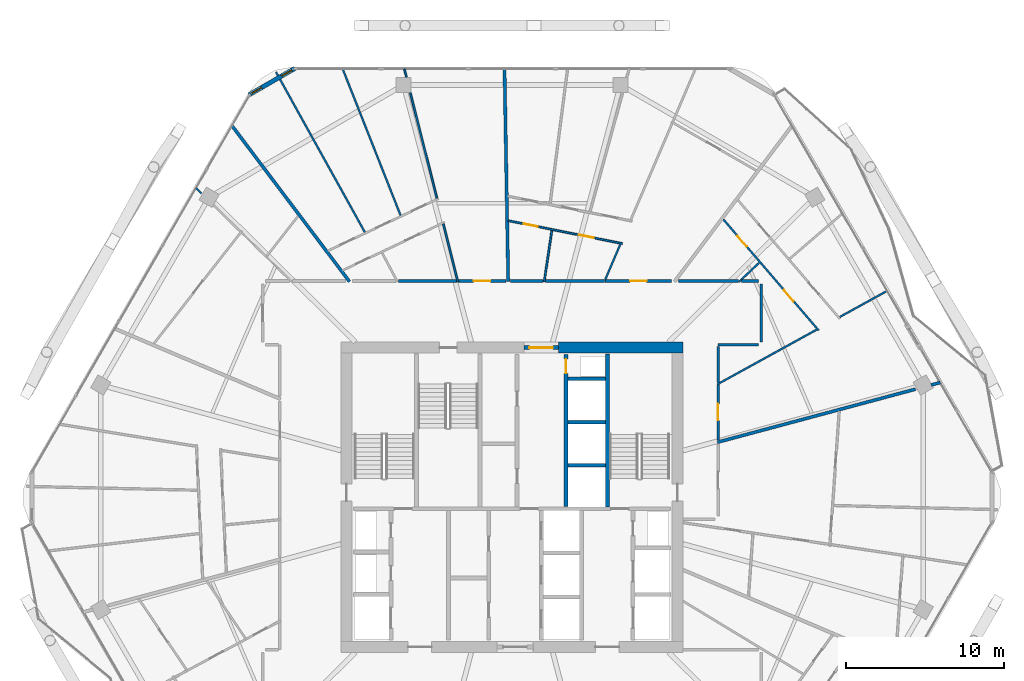
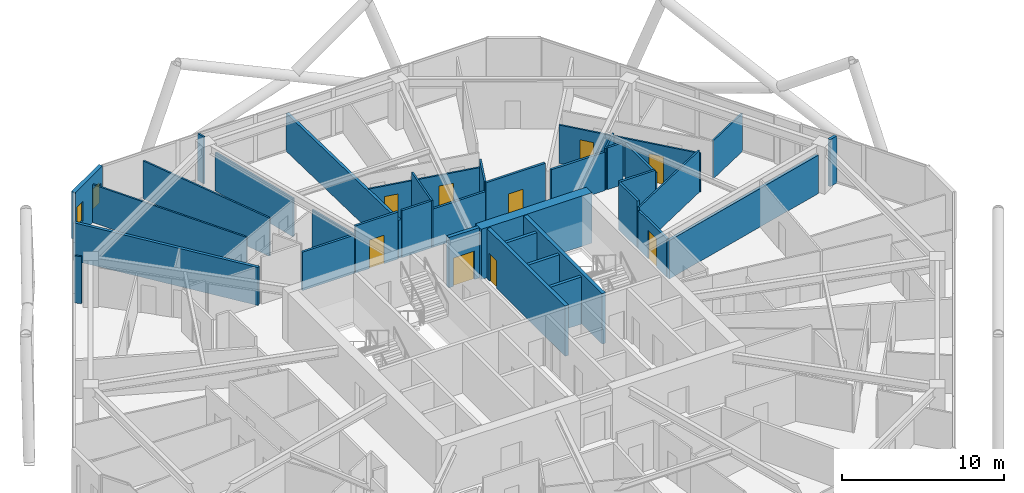
# One storey, part 25 of 29: 36 walls, 9 doors, 2 windows, 11 openings.
"""IFC4 building model written with IfcOpenShell, lengths in metres."""

from ifc_helpers import new_model, si_unit, direction, frame, frame_2d, origin, place, context, subcontext, project, spatial, rectangle, extrude, material, layer, layer_set, type_object, element, fill, save


model = new_model("IFC4")

# Units and contexts
model_context = context("Model", 3, precision=1e-05, world=origin(), true_north=direction((0.0, 1.0)))
body_context = subcontext(model_context, "Body", "Model", "MODEL_VIEW")
ifc_project = project(units=[si_unit("LENGTHUNIT", "METRE"), si_unit("AREAUNIT", "SQUARE_METRE"), si_unit("VOLUMEUNIT", "CUBIC_METRE"), si_unit("PLANEANGLEUNIT", "RADIAN"), si_unit("MASSUNIT", "GRAM", prefix="KILO")], contexts=[model_context])

# Site, building, storey
site_placement = place(None, origin())
site = spatial("IfcSite", under=ifc_project, at=site_placement, CompositionType="ELEMENT")
building_placement = place(site_placement, origin())
building = spatial("IfcBuilding", under=site, at=building_placement, Name="Zuhravey Tower", CompositionType="ELEMENT")
storey_placement = place(building_placement, frame((0.0, 0.0, 192.199951171875)))
storey = spatial("IfcBuildingStorey", under=building, at=storey_placement, Name="L48", CompositionType="ELEMENT", Elevation=192.199951171875)

# Wall
ifc_material_1 = material(Name="Concrete C60/75", Category="concrete")
ifc_layer_1 = layer(ifc_material_1, 0.699951171875)
ifc_layer_set_1 = layer_set([ifc_layer_1], Name="Concrete C60/75")
wall_type_1 = type_object("IfcWallType", Name="Core Shear Wall 700", PredefinedType="SHEAR", material=ifc_layer_set_1)
wall_1_placement = place(storey_placement, frame((46.85009765625, 41.5, 0.0), z_axis=(0.0, 0.0, 1.0), x_axis=(-1.0, 0.0, 0.0)))
element("IfcWall", 1, at=wall_1_placement, inside=storey, type_object=wall_type_1, Name="L48 North-East Core Shear Wall CW70", PredefinedType="SHEAR", context=body_context, shape_type="SweptSolid", body=[
    extrude(rectangle(XDim=7.900146484375, YDim=0.699951171875, at=frame_2d((3.9501953125, 0.0))), origin(), (0.0, 0.0, 1.0), 3.800048828125),
])

# Wall, opening, door
ifc_material_2 = material(Name="Gypsum fire-rated stud partition")
ifc_layer_2 = layer(ifc_material_2, 0.159912109375)
ifc_layer_set_2 = layer_set([ifc_layer_2], Name="Gypsum fire-rated stud partition")
wall_type_2 = type_object("IfcWallType", Name="Corridor Fire Partition 160", PredefinedType="PARTITIONING", material=ifc_layer_set_2)
wall_2_placement = place(storey_placement, frame((49.080078125, 35.648193359375, 0.0), z_axis=(0.0, 0.0, 1.0), x_axis=(0.0, 1.0, 0.0)))
wall_2 = element("IfcWall", 2, at=wall_2_placement, inside=storey, type_object=wall_type_2, Name="L48 IW16 Partition 022", PredefinedType="PARTITIONING", context=body_context, shape_type="SweptSolid", body=[
    extrude(rectangle(XDim=3.525634765625, YDim=0.159912109375, at=frame_2d((1.7626953125, 0.0))), origin(), (0.0, 0.0, 1.0), 2.900146484375),
])
opening_1_placement = place(wall_2_placement, frame((1.23779296875, 0.0, 0.0)))
opening_1 = element("IfcOpeningElement", 3, at=opening_1_placement, cuts=wall_2, Name="Opening APD1", PredefinedType="OPENING", context=body_context, shape_type="SweptSolid", body=[
    extrude(rectangle(XDim=1.050048828125, YDim=2.14990234375, at=frame_2d((0.52490234375, 1.074951171875))), frame((0.0, 0.092041015625, 0.0), z_axis=(0.0, -1.0, 0.0), x_axis=(1.0, 0.0, 0.0)), (0.0, 0.0, 1.0), 0.183837890625),
])
ifc_material_3 = material(Name="Solid-core oak fire-rated leaf")
door_type_1 = type_object("IfcDoorType", Name="Apartment Entrance Fire Door 1050x2150", OperationType="NOTDEFINED", PredefinedType="DOOR", material=ifc_material_3)
door_1_placement = place(opening_1_placement, frame((1.050048828125, 0.0, 0.0), z_axis=(0.0, 0.0, 1.0), x_axis=(-1.0, 0.0, 0.0)))
door_1 = element("IfcDoor", 4, at=door_1_placement, inside=storey, type_object=door_type_1, Name="L48 Door 022.1", OperationType="SINGLE_SWING_LEFT", OverallHeight=2.14990234375, OverallWidth=1.050048828125, PredefinedType="DOOR", context=body_context, shape_type="SweptSolid", body=[
    extrude(rectangle(XDim=1.050048828125, YDim=2.14990234375, at=frame_2d((0.52490234375, 1.074951171875))), frame((0.0, 0.02490234375, 0.0), z_axis=(0.0, -1.0, 0.0), x_axis=(1.0, 0.0, 0.0)), (0.0, 0.0, 1.0), 0.050048828125),
])
fill(opening_1, door_1)

wall_3_placement = place(storey_placement, frame((46.134765625, 45.72998046875, 0.0), z_axis=(0.0, 0.0, 1.0), x_axis=(-1.0, 0.0, 0.0)))
wall_3 = element("IfcWall", 5, at=wall_3_placement, inside=storey, type_object=wall_type_2, Name="L48 IW16 Partition 026", PredefinedType="PARTITIONING", context=body_context, shape_type="SweptSolid", body=[
    extrude(rectangle(XDim=4.23388671875, YDim=0.159912109375, at=frame_2d((2.116943359375, 0.0))), origin(), (0.0, 0.0, 1.0), 3.550048828125),
])
opening_2_placement = place(wall_3_placement, frame((1.592041015625, 0.0, 0.0)))
opening_2 = element("IfcOpeningElement", 6, at=opening_2_placement, cuts=wall_3, Name="Opening APD1", PredefinedType="OPENING", context=body_context, shape_type="SweptSolid", body=[
    extrude(rectangle(XDim=1.050048828125, YDim=2.14990234375, at=frame_2d((0.52490234375, 1.074951171875))), frame((0.0, 0.092041015625, 0.0), z_axis=(0.0, -1.0, 0.0), x_axis=(1.0, 0.0, 0.0)), (0.0, 0.0, 1.0), 0.183837890625),
])
door_2_placement = place(opening_2_placement, frame((1.050048828125, 0.0, 0.0), z_axis=(0.0, 0.0, 1.0), x_axis=(-1.0, 0.0, 0.0)))
door_2 = element("IfcDoor", 7, at=door_2_placement, inside=storey, type_object=door_type_1, Name="L48 Door 026.1", OperationType="SINGLE_SWING_RIGHT", OverallHeight=2.14990234375, OverallWidth=1.050048828125, PredefinedType="DOOR", context=body_context, shape_type="SweptSolid", body=[
    extrude(rectangle(XDim=1.050048828125, YDim=2.14990234375, at=frame_2d((0.52490234375, 1.074951171875))), frame((0.0, 0.02490234375, 0.0), z_axis=(0.0, -1.0, 0.0), x_axis=(1.0, 0.0, 0.0)), (0.0, 0.0, 1.0), 0.050048828125),
])
fill(opening_2, door_2)

wall_4_placement = place(storey_placement, frame((35.62060546875, 45.72998046875, 0.0), z_axis=(0.0, 0.0, 1.0), x_axis=(-1.0, 0.0, 0.0)))
wall_4 = element("IfcWall", 8, at=wall_4_placement, inside=storey, type_object=wall_type_2, Name="L48 IW16 Partition 029", PredefinedType="PARTITIONING", context=body_context, shape_type="SweptSolid", body=[
    extrude(rectangle(XDim=3.048583984375, YDim=0.159912109375, at=frame_2d((1.5244140625, 0.0))), origin(), (0.0, 0.0, 1.0), 3.550048828125),
])
opening_3_placement = place(wall_4_placement, frame((0.999267578125, 0.0, 0.0)))
opening_3 = element("IfcOpeningElement", 9, at=opening_3_placement, cuts=wall_4, Name="Opening APD1", PredefinedType="OPENING", context=body_context, shape_type="SweptSolid", body=[
    extrude(rectangle(XDim=1.050048828125, YDim=2.14990234375, at=frame_2d((0.52490234375, 1.074951171875))), frame((0.0, 0.092041015625, 0.0), z_axis=(0.0, -1.0, 0.0), x_axis=(1.0, 0.0, 0.0)), (0.0, 0.0, 1.0), 0.183837890625),
])
door_3_placement = place(opening_3_placement, frame((1.050048828125, 0.0, 0.0), z_axis=(0.0, 0.0, 1.0), x_axis=(-1.0, 0.0, 0.0)))
door_3 = element("IfcDoor", 10, at=door_3_placement, inside=storey, type_object=door_type_1, Name="L48 Door 029.1", OperationType="SINGLE_SWING_RIGHT", OverallHeight=2.14990234375, OverallWidth=1.050048828125, PredefinedType="DOOR", context=body_context, shape_type="SweptSolid", body=[
    extrude(rectangle(XDim=1.050048828125, YDim=2.14990234375, at=frame_2d((0.52490234375, 1.074951171875))), frame((0.0, 0.02490234375, 0.0), z_axis=(0.0, -1.0, 0.0), x_axis=(1.0, 0.0, 0.0)), (0.0, 0.0, 1.0), 0.050048828125),
])
fill(opening_3, door_3)

# Walls
wall_5_placement = place(storey_placement, frame((51.830078125, 41.85009765625, 0.0), z_axis=(0.0, 0.0, 1.0), x_axis=(0.0, 1.0, 0.0)))
element("IfcWall", 11, at=wall_5_placement, inside=storey, type_object=wall_type_2, Name="L48 IW16 Partition 123", PredefinedType="PARTITIONING", context=body_context, shape_type="SweptSolid", body=[
    extrude(rectangle(XDim=3.699951171875, YDim=0.159912109375, at=frame_2d((1.85009765625, 0.0))), origin(), (0.0, 0.0, 1.0), 3.150146484375),
])
wall_6_placement = place(storey_placement, frame((49.080078125, 41.669921875, 0.0), z_axis=(0.0, 0.0, 1.0), x_axis=(1.0, 0.0, 0.0)))
element("IfcWall", 12, at=wall_6_placement, inside=storey, type_object=wall_type_2, Name="L48 IW16 Partition 124", PredefinedType="PARTITIONING", context=body_context, shape_type="SweptSolid", body=[
    extrude(rectangle(XDim=2.56982421875, YDim=0.159912109375, at=frame_2d((1.284912109375, 0.0))), origin(), (0.0, 0.0, 1.0), 3.550048828125),
])
wall_7_placement = place(storey_placement, frame((49.080078125, 39.2744140625, 0.0), z_axis=(0.0, 0.0, 1.0), x_axis=(0.0, 1.0, 0.0)))
element("IfcWall", 13, at=wall_7_placement, inside=storey, type_object=wall_type_2, Name="L48 IW16 Partition 125", PredefinedType="PARTITIONING", context=body_context, shape_type="SweptSolid", body=[
    extrude(rectangle(XDim=2.3076171875, YDim=0.159912109375, at=frame_2d((1.15380859375, 0.0))), origin(), (0.0, 0.0, 1.0), 3.550048828125),
])
wall_8_placement = place(storey_placement, frame((51.64990234375, 45.72998046875, 0.0), z_axis=(0.0, 0.0, 1.0), x_axis=(-1.0, 0.0, 0.0)))
element("IfcWall", 14, at=wall_8_placement, inside=storey, type_object=wall_type_2, Name="L48 IW16 Partition 126", PredefinedType="PARTITIONING", context=body_context, shape_type="SweptSolid", body=[
    extrude(rectangle(XDim=1.08349609375, YDim=0.159912109375, at=frame_2d((0.541748046875, 0.0))), origin(), (0.0, 0.0, 1.0), 3.150146484375),
])
wall_9_placement = place(storey_placement, frame((50.368896484375, 45.72998046875, 0.0), z_axis=(0.0, 0.0, 1.0), x_axis=(-1.0, 0.0, 0.0)))
element("IfcWall", 15, at=wall_9_placement, inside=storey, type_object=wall_type_2, Name="L48 IW16 Partition 127", PredefinedType="PARTITIONING", context=body_context, shape_type="SweptSolid", body=[
    extrude(rectangle(XDim=3.808349609375, YDim=0.159912109375, at=frame_2d((1.904296875, 0.0))), origin(), (0.0, 0.0, 1.0), 2.900146484375),
])
wall_10_placement = place(storey_placement, frame((41.857421875, 45.72998046875, 0.0), z_axis=(0.0, 0.0, 1.0), x_axis=(-1.0, 0.0, 0.0)))
element("IfcWall", 16, at=wall_10_placement, inside=storey, type_object=wall_type_2, Name="L48 IW16 Partition 128", PredefinedType="PARTITIONING", context=body_context, shape_type="SweptSolid", body=[
    extrude(rectangle(XDim=3.737060546875, YDim=0.159912109375, at=frame_2d((1.86865234375, 0.0))), origin(), (0.0, 0.0, 1.0), 2.900146484375),
])
wall_11_placement = place(storey_placement, frame((37.98291015625, 45.72998046875, 0.0), z_axis=(0.0, 0.0, 1.0), x_axis=(-1.0, 0.0, 0.0)))
element("IfcWall", 17, at=wall_11_placement, inside=storey, type_object=wall_type_2, Name="L48 IW16 Partition 129", PredefinedType="PARTITIONING", context=body_context, shape_type="SweptSolid", body=[
    extrude(rectangle(XDim=2.082763671875, YDim=0.159912109375, at=frame_2d((1.04150390625, 0.0))), origin(), (0.0, 0.0, 1.0), 3.550048828125),
])
wall_12_placement = place(storey_placement, frame((32.481201171875, 45.72998046875, 0.0), z_axis=(0.0, 0.0, 1.0), x_axis=(-1.0, 0.0, 0.0)))
element("IfcWall", 18, at=wall_12_placement, inside=storey, type_object=wall_type_2, Name="L48 IW16 Partition 130", PredefinedType="PARTITIONING", context=body_context, shape_type="SweptSolid", body=[
    extrude(rectangle(XDim=3.700927734375, YDim=0.159912109375, at=frame_2d((1.8505859375, 0.0))), origin(), (0.0, 0.0, 1.0), 2.900146484375),
])

# Wall, openings, windows
ifc_material_4 = material(Name="Precast concrete C40/50", Category="concrete")
ifc_layer_3 = layer(ifc_material_4, 0.280029296875)
ifc_layer_set_3 = layer_set([ifc_layer_3], Name="Precast concrete C40/50")
wall_type_3 = type_object("IfcWallType", Name="Crown Architectural Wall 280", PredefinedType="SOLIDWALL", material=ifc_layer_set_3)
wall_13_placement = place(storey_placement, frame((19.306884765625, 57.548095703125, 0.0), z_axis=(0.0, 0.0, 1.0), x_axis=(0.866020068361, 0.500009241111, 0.0)))
wall_13 = element("IfcWall", 19, at=wall_13_placement, inside=storey, type_object=wall_type_3, Name="L48 Rounded Corner Closure Wall EW28-08", PredefinedType="SOLIDWALL", context=body_context, shape_type="SweptSolid", body=[
    extrude(rectangle(XDim=3.365234375, YDim=0.280029296875, at=frame_2d((1.6826171875, 0.0))), origin(), (0.0, 0.0, 1.0), 3.550048828125),
])
opening_4_placement = place(wall_13_placement, frame((2.386962890625, 0.0, 0.85009765625)))
opening_4 = element("IfcOpeningElement", 20, at=opening_4_placement, cuts=wall_13, Name="Opening WN5", PredefinedType="OPENING", context=body_context, shape_type="SweptSolid", body=[
    extrude(rectangle(XDim=0.75, YDim=1.5, at=frame_2d((0.375, 0.75))), frame((0.0, 0.152099609375, 0.0), z_axis=(0.0, -1.0, 0.0), x_axis=(1.0, 0.0, 0.0)), (0.0, 0.0, 1.0), 0.303955078125),
])
opening_5_placement = place(wall_13_placement, frame((0.17919921875, 0.0, 0.85009765625)))
opening_5 = element("IfcOpeningElement", 21, at=opening_5_placement, cuts=wall_13, Name="Opening WN5", PredefinedType="OPENING", context=body_context, shape_type="SweptSolid", body=[
    extrude(rectangle(XDim=0.75, YDim=1.5, at=frame_2d((0.375, 0.75))), frame((0.0, 0.152099609375, 0.0), z_axis=(0.0, -1.0, 0.0), x_axis=(1.0, 0.0, 0.0)), (0.0, 0.0, 1.0), 0.303955078125),
])
ifc_material_5 = material(Name="Thermally broken aluminium and triple low-E glass", Category="aluminium")
window_type = type_object("IfcWindowType", Name="Residential Corner Casement Window 750x1500", PartitioningType="SINGLE_PANEL", PredefinedType="WINDOW", material=ifc_material_5)
window_1_placement = place(opening_4_placement, origin())
window_1 = element("IfcWindow", 22, at=window_1_placement, inside=storey, type_object=window_type, Name="L48 Corner Casement Window WN5-08.1", OverallHeight=1.5, OverallWidth=0.75, PartitioningType="SINGLE_PANEL", PredefinedType="WINDOW", context=body_context, shape_type="SweptSolid", body=[
    extrude(rectangle(XDim=0.75, YDim=1.5, at=frame_2d((0.375, 0.75))), frame((0.0, 0.030029296875, 0.0), z_axis=(0.0, -1.0, 0.0), x_axis=(1.0, 0.0, 0.0)), (0.0, 0.0, 1.0), 0.06005859375),
])
fill(opening_4, window_1)
window_2_placement = place(opening_5_placement, origin())
window_2 = element("IfcWindow", 23, at=window_2_placement, inside=storey, type_object=window_type, Name="L48 Corner Casement Window WN5-08.2", OverallHeight=1.5, OverallWidth=0.75, PartitioningType="SINGLE_PANEL", PredefinedType="WINDOW", context=body_context, shape_type="SweptSolid", body=[
    extrude(rectangle(XDim=0.75, YDim=1.5, at=frame_2d((0.375, 0.75))), frame((0.0, 0.030029296875, 0.0), z_axis=(0.0, -1.0, 0.0), x_axis=(1.0, 0.0, 0.0)), (0.0, 0.0, 1.0), 0.06005859375),
])
fill(opening_5, window_2)

# Wall, opening, door
ifc_material_6 = material(Name="Concrete C50/60", Category="concrete")
ifc_layer_4 = layer(ifc_material_6, 0.25)
ifc_layer_set_4 = layer_set([ifc_layer_4], Name="Concrete C50/60")
wall_type_4 = type_object("IfcWallType", Name="Firefighting Shaft & Stair Wall 250", PredefinedType="SOLIDWALL", material=ifc_layer_set_4)
wall_14_placement = place(storey_placement, frame((36.760009765625, 41.5, 0.0), z_axis=(0.0, 0.0, 1.0), x_axis=(1.0, 0.0, 0.0)))
wall_14 = element("IfcWall", 24, at=wall_14_placement, inside=storey, type_object=wall_type_4, Name="L48 FW25 Shaft Wall 002", PredefinedType="SOLIDWALL", context=body_context, shape_type="SweptSolid", body=[
    extrude(rectangle(XDim=2.179931640625, YDim=0.25, at=frame_2d((1.08984375, 0.0))), origin(), (0.0, 0.0, 1.0), 3.800048828125),
])
opening_6_placement = place(wall_14_placement, frame((0.340087890625, 0.0, 0.0)))
opening_6 = element("IfcOpeningElement", 25, at=opening_6_placement, cuts=wall_14, Name="Opening FFD1", PredefinedType="OPENING", context=body_context, shape_type="SweptSolid", body=[
    extrude(rectangle(XDim=1.5, YDim=2.14990234375, at=frame_2d((0.75, 1.074951171875))), frame((0.0, 0.136962890625, 0.0), z_axis=(0.0, -1.0, 0.0), x_axis=(1.0, 0.0, 0.0)), (0.0, 0.0, 1.0), 0.27392578125),
])
ifc_material_7 = material(Name="Galvanised fire-rated steel leaf", Category="steel")
door_type_2 = type_object("IfcDoorType", Name="Firefighting Lobby Double Door 1500x2150", OperationType="DOUBLE_DOOR_SINGLE_SWING", PredefinedType="DOOR", material=ifc_material_7)
door_4_placement = place(opening_6_placement, origin())
door_4 = element("IfcDoor", 26, at=door_4_placement, inside=storey, type_object=door_type_2, Name="L48 North Lift Lobby Exit Door", OperationType="DOUBLE_DOOR_SINGLE_SWING", OverallHeight=2.14990234375, OverallWidth=1.5, PredefinedType="DOOR", context=body_context, shape_type="SweptSolid", body=[
    extrude(rectangle(XDim=1.5, YDim=2.14990234375, at=frame_2d((0.75, 1.074951171875))), frame((0.0, 0.02490234375, 0.0), z_axis=(0.0, -1.0, 0.0), x_axis=(1.0, 0.0, 0.0)), (0.0, 0.0, 1.0), 0.050048828125),
])
fill(opening_6, door_4)

# Wall
wall_15_placement = place(storey_placement, frame((42.074951171875, 31.39990234375, 0.0), z_axis=(0.0, 0.0, 1.0), x_axis=(0.0, 1.0, 0.0)))
element("IfcWall", 27, at=wall_15_placement, inside=storey, type_object=wall_type_4, Name="L48 FW25 Shaft Wall 006", PredefinedType="SOLIDWALL", context=body_context, shape_type="SweptSolid", body=[
    extrude(rectangle(XDim=9.7001953125, YDim=0.25, at=frame_2d((4.85009765625, 0.0))), origin(), (0.0, 0.0, 1.0), 3.800048828125),
])

# Wall, opening, door
wall_16_placement = place(storey_placement, frame((39.425048828125, 31.39990234375, 0.0), z_axis=(0.0, 0.0, 1.0), x_axis=(0.0, 1.0, 0.0)))
wall_16 = element("IfcWall", 28, at=wall_16_placement, inside=storey, type_object=wall_type_4, Name="L48 FW25 Shaft Wall 008", PredefinedType="SOLIDWALL", context=body_context, shape_type="SweptSolid", body=[
    extrude(rectangle(XDim=9.650146484375, YDim=0.25, at=frame_2d((4.8251953125, 0.0))), origin(), (0.0, 0.0, 1.0), 3.800048828125),
])
opening_7_placement = place(wall_16_placement, frame((8.469970703125, 0.0, 0.0)))
opening_7 = element("IfcOpeningElement", 29, at=opening_7_placement, cuts=wall_16, Name="Opening RSD1", PredefinedType="OPENING", context=body_context, shape_type="SweptSolid", body=[
    extrude(rectangle(XDim=0.89990234375, YDim=2.10009765625, at=frame_2d((0.449951171875, 1.050048828125))), frame((0.0, 0.136962890625, 0.0), z_axis=(0.0, -1.0, 0.0), x_axis=(1.0, 0.0, 0.0)), (0.0, 0.0, 1.0), 0.27392578125),
])
ifc_material_8 = material(Name="Galvanised fire-rated steel access leaf", Category="steel")
door_type_3 = type_object("IfcDoorType", Name="Riser & Shaft Access Fire Door 900x2100", OperationType="NOTDEFINED", PredefinedType="DOOR", material=ifc_material_8)
door_5_placement = place(opening_7_placement, origin())
door_5 = element("IfcDoor", 30, at=door_5_placement, inside=storey, type_object=door_type_3, Name="L48 North Riser Door", OperationType="SINGLE_SWING_LEFT", OverallHeight=2.10009765625, OverallWidth=0.89990234375, PredefinedType="DOOR", context=body_context, shape_type="SweptSolid", body=[
    extrude(rectangle(XDim=0.89990234375, YDim=2.10009765625, at=frame_2d((0.449951171875, 1.050048828125))), frame((0.0, 0.02490234375, 0.0), z_axis=(0.0, -1.0, 0.0), x_axis=(1.0, 0.0, 0.0)), (0.0, 0.0, 1.0), 0.050048828125),
])
fill(opening_7, door_5)

# Walls
ifc_material_9 = material(Name="Gypsum double-stud party assembly")
ifc_layer_5 = layer(ifc_material_9, 0.199951171875)
ifc_layer_set_5 = layer_set([ifc_layer_5], Name="Gypsum double-stud party assembly")
wall_type_5 = type_object("IfcWallType", Name="Inter-Tenancy Party Wall 200", PredefinedType="PARTITIONING", material=ifc_layer_set_5)
wall_17_placement = place(storey_placement, frame((49.0400390625, 35.494140625, 0.0), z_axis=(0.0, 0.0, 1.0), x_axis=(0.965928543948, 0.258808902449, 0.0)))
element("IfcWall", 31, at=wall_17_placement, inside=storey, type_object=wall_type_5, Name="L48 IW20 Partition 067", PredefinedType="PARTITIONING", context=body_context, shape_type="SweptSolid", body=[
    extrude(rectangle(XDim=13.015869140625, YDim=0.199951171875, at=frame_2d((6.5078125, 0.0))), origin(), (0.0, 0.0, 1.0), 2.900146484375),
])
wall_18_placement = place(storey_placement, frame((62.6025390625, 39.128173828125, 0.0), z_axis=(0.0, 0.0, 1.0), x_axis=(0.965944425699, 0.258749621182, 0.0)))
element("IfcWall", 32, at=wall_18_placement, inside=storey, type_object=wall_type_5, Name="L48 IW20 Partition 068", PredefinedType="PARTITIONING", context=body_context, shape_type="SweptSolid", body=[
    extrude(rectangle(XDim=0.60107421875, YDim=0.199951171875, at=frame_2d((0.300537109375, 0.0))), origin(), (0.0, 0.0, 1.0), 3.550048828125),
])
wall_19_placement = place(storey_placement, frame((35.760986328125, 45.68994140625, 0.0), z_axis=(0.0, 0.0, 1.0), x_axis=(-0.017457713983, 0.999847602499, 0.0)))
element("IfcWall", 33, at=wall_19_placement, inside=storey, type_object=wall_type_5, Name="L48 IW20 Partition 081", PredefinedType="PARTITIONING", context=body_context, shape_type="SweptSolid", body=[
    extrude(rectangle(XDim=13.4951171875, YDim=0.199951171875, at=frame_2d((6.74755859375, 0.0))), origin(), (0.0, 0.0, 1.0), 2.8701171875),
])
wall_20_placement = place(storey_placement, frame((25.683837890625, 45.68994140625, 0.0), z_axis=(0.0, 0.0, 1.0), x_axis=(-0.601811441108, 0.798638209299, 0.0)))
element("IfcWall", 34, at=wall_20_placement, inside=storey, type_object=wall_type_5, Name="L48 IW20 Partition 088", PredefinedType="PARTITIONING", context=body_context, shape_type="SweptSolid", body=[
    extrude(rectangle(XDim=12.388916015625, YDim=0.199951171875, at=frame_2d((6.1943359375, 0.0))), origin(), (0.0, 0.0, 1.0), 2.8701171875),
])
ifc_material_10 = material(Name="Gypsum acoustic stud assembly")
ifc_layer_6 = layer(ifc_material_10, 0.219970703125)
ifc_layer_set_6 = layer_set([ifc_layer_6], Name="Gypsum acoustic stud assembly")
wall_type_6 = type_object("IfcWallType", Name="School Acoustic Compartment Wall 220", PredefinedType="PARTITIONING", material=ifc_layer_set_6)
for number, where, z_axis, x_axis, name in (
    (35, (39.55810546875, 34.02490234375, 0.0), (0.0, 0.0, 1.0), (1.0, 0.0, 0.0), "L48 IW22 Partition 062"),
    (36, (39.55810546875, 36.77490234375, 0.0), (0.0, 0.0, 1.0), (1.0, 0.0, 0.0), "L48 IW22 Partition 063"),
    (37, (39.55810546875, 39.52490234375, 0.0), (0.0, 0.0, 1.0), (1.0, 0.0, 0.0), "L48 IW22 Partition 064"),
):
    element("IfcWall", number, at=place(storey_placement, frame(where, z_axis=z_axis, x_axis=x_axis)), inside=storey, type_object=wall_type_6, Name=name, PredefinedType="PARTITIONING", context=body_context, shape_type="SweptSolid", body=[
        extrude(rectangle(XDim=2.3837890625, YDim=0.219970703125, at=frame_2d((1.19189453125, 0.0))), origin(), (0.0, 0.0, 1.0), 3.550048828125),
    ])

# Wall, openings, doors
ifc_material_11 = material(Name="Gypsum metal-stud partition")
ifc_layer_7 = layer(ifc_material_11, 0.1201171875)
ifc_layer_set_7 = layer_set([ifc_layer_7], Name="Gypsum metal-stud partition")
wall_type_7 = type_object("IfcWallType", Name="Unit Internal Partition 120", PredefinedType="PARTITIONING", material=ifc_layer_set_7)
wall_21_placement = place(storey_placement, frame((55.467041015625, 42.5966796875, 0.0), z_axis=(0.0, 0.0, 1.0), x_axis=(-0.651552756093, 0.758603325875, 0.0)))
wall_21 = element("IfcWall", 38, at=wall_21_placement, inside=storey, type_object=wall_type_7, Name="L48 IW12 Partition 020", PredefinedType="PARTITIONING", context=body_context, shape_type="SweptSolid", body=[
    extrude(rectangle(XDim=9.291259765625, YDim=0.1201171875, at=frame_2d((4.6455078125, 0.0))), origin(), (0.0, 0.0, 1.0), 2.900146484375),
])
opening_8_placement = place(wall_21_placement, frame((2.436767578125, 0.0, 0.0)))
opening_8 = element("IfcOpeningElement", 39, at=opening_8_placement, cuts=wall_21, Name="Opening IND1", PredefinedType="OPENING", context=body_context, shape_type="SweptSolid", body=[
    extrude(rectangle(XDim=0.949951171875, YDim=2.10009765625, at=frame_2d((0.47509765625, 1.050048828125))), frame((0.0, 0.072021484375, 0.0), z_axis=(0.0, -1.0, 0.0), x_axis=(1.0, 0.0, 0.0)), (0.0, 0.0, 1.0), 0.14404296875),
])
opening_9_placement = place(wall_21_placement, frame((7.0048828125, 0.0, 0.0)))
opening_9 = element("IfcOpeningElement", 40, at=opening_9_placement, cuts=wall_21, Name="Opening WCD1", PredefinedType="OPENING", context=body_context, shape_type="SweptSolid", body=[
    extrude(rectangle(XDim=0.89990234375, YDim=2.10009765625, at=frame_2d((0.449951171875, 1.050048828125))), frame((0.0, 0.072021484375, 0.0), z_axis=(0.0, -1.0, 0.0), x_axis=(1.0, 0.0, 0.0)), (0.0, 0.0, 1.0), 0.14404296875),
])
ifc_material_12 = material(Name="Moisture-resistant timber leaf", Category="wood")
door_type_4 = type_object("IfcDoorType", Name="Bathroom & WC Internal Door 900x2100", OperationType="NOTDEFINED", PredefinedType="DOOR", material=ifc_material_12)
door_6_placement = place(opening_9_placement, origin())
door_6 = element("IfcDoor", 41, at=door_6_placement, inside=storey, type_object=door_type_4, Name="Apartment L48-01 Bathroom Door", OperationType="SINGLE_SWING_RIGHT", OverallHeight=2.10009765625, OverallWidth=0.89990234375, PredefinedType="DOOR", context=body_context, shape_type="SweptSolid", body=[
    extrude(rectangle(XDim=0.89990234375, YDim=2.10009765625, at=frame_2d((0.449951171875, 1.050048828125))), frame((0.0, 0.02490234375, 0.0), z_axis=(0.0, -1.0, 0.0), x_axis=(1.0, 0.0, 0.0)), (0.0, 0.0, 1.0), 0.050048828125),
])
fill(opening_9, door_6)
ifc_material_13 = material(Name="Painted engineered timber leaf", Category="wood")
door_type_5 = type_object("IfcDoorType", Name="Internal Room & Bedroom Door 950x2100", OperationType="NOTDEFINED", PredefinedType="DOOR", material=ifc_material_13)
door_7_placement = place(opening_8_placement, origin())
door_7 = element("IfcDoor", 42, at=door_7_placement, inside=storey, type_object=door_type_5, Name="Apartment L48-01 Kitchen Door", OperationType="SINGLE_SWING_LEFT", OverallHeight=2.10009765625, OverallWidth=0.949951171875, PredefinedType="DOOR", context=body_context, shape_type="SweptSolid", body=[
    extrude(rectangle(XDim=0.949951171875, YDim=2.10009765625, at=frame_2d((0.47509765625, 1.050048828125))), frame((0.0, 0.02490234375, 0.0), z_axis=(0.0, -1.0, 0.0), x_axis=(1.0, 0.0, 0.0)), (0.0, 0.0, 1.0), 0.050048828125),
])
fill(opening_8, door_7)

wall_22_placement = place(storey_placement, frame((43.005126953125, 48.105712890625, 0.0), z_axis=(0.0, 0.0, 1.0), x_axis=(-0.980473986125, 0.196648830489, 0.0)))
wall_22 = element("IfcWall", 43, at=wall_22_placement, inside=storey, type_object=wall_type_7, Name="L48 IW12 Partition 024", PredefinedType="PARTITIONING", context=body_context, shape_type="SweptSolid", body=[
    extrude(rectangle(XDim=7.403076171875, YDim=0.1201171875, at=frame_2d((3.70166015625, 0.0))), origin(), (0.0, 0.0, 1.0), 2.900146484375),
])
opening_10_placement = place(wall_22_placement, frame((1.852783203125, 0.0, 0.0)))
opening_10 = element("IfcOpeningElement", 44, at=opening_10_placement, cuts=wall_22, Name="Opening IND1", PredefinedType="OPENING", context=body_context, shape_type="SweptSolid", body=[
    extrude(rectangle(XDim=0.949951171875, YDim=2.10009765625, at=frame_2d((0.47509765625, 1.050048828125))), frame((0.0, 0.072021484375, 0.0), z_axis=(0.0, -1.0, 0.0), x_axis=(1.0, 0.0, 0.0)), (0.0, 0.0, 1.0), 0.14404296875),
])
opening_11_placement = place(wall_22_placement, frame((5.47705078125, 0.0, 0.0)))
opening_11 = element("IfcOpeningElement", 45, at=opening_11_placement, cuts=wall_22, Name="Opening WCD1", PredefinedType="OPENING", context=body_context, shape_type="SweptSolid", body=[
    extrude(rectangle(XDim=0.89990234375, YDim=2.10009765625, at=frame_2d((0.449951171875, 1.050048828125))), frame((0.0, 0.072021484375, 0.0), z_axis=(0.0, -1.0, 0.0), x_axis=(1.0, 0.0, 0.0)), (0.0, 0.0, 1.0), 0.14404296875),
])
door_8_placement = place(opening_11_placement, origin())
door_8 = element("IfcDoor", 46, at=door_8_placement, inside=storey, type_object=door_type_4, Name="Apartment L48-02 Bathroom Door", OperationType="SINGLE_SWING_RIGHT", OverallHeight=2.10009765625, OverallWidth=0.89990234375, PredefinedType="DOOR", context=body_context, shape_type="SweptSolid", body=[
    extrude(rectangle(XDim=0.89990234375, YDim=2.10009765625, at=frame_2d((0.449951171875, 1.050048828125))), frame((0.0, 0.02490234375, 0.0), z_axis=(0.0, -1.0, 0.0), x_axis=(1.0, 0.0, 0.0)), (0.0, 0.0, 1.0), 0.050048828125),
])
fill(opening_11, door_8)
door_9_placement = place(opening_10_placement, origin())
door_9 = element("IfcDoor", 47, at=door_9_placement, inside=storey, type_object=door_type_5, Name="Apartment L48-02 Kitchen Door", OperationType="SINGLE_SWING_LEFT", OverallHeight=2.10009765625, OverallWidth=0.949951171875, PredefinedType="DOOR", context=body_context, shape_type="SweptSolid", body=[
    extrude(rectangle(XDim=0.949951171875, YDim=2.10009765625, at=frame_2d((0.47509765625, 1.050048828125))), frame((0.0, 0.02490234375, 0.0), z_axis=(0.0, -1.0, 0.0), x_axis=(1.0, 0.0, 0.0)), (0.0, 0.0, 1.0), 0.050048828125),
])
fill(opening_10, door_9)

# Walls
wall_23_placement = place(storey_placement, frame((50.414794921875, 45.679931640625, 0.0), z_axis=(0.0, 0.0, 1.0), x_axis=(0.725405017461, 0.688322279635, 0.0)))
element("IfcWall", 48, at=wall_23_placement, inside=storey, type_object=wall_type_7, Name="L48 IW12 Partition 069", PredefinedType="PARTITIONING", context=body_context, shape_type="SweptSolid", body=[
    extrude(rectangle(XDim=1.7578125, YDim=0.1201171875, at=frame_2d((0.87890625, 0.0))), origin(), (0.0, 0.0, 1.0), 3.150146484375),
])
wall_24_placement = place(storey_placement, frame((49.038330078125, 39.173828125, 0.0), z_axis=(0.0, 0.0, 1.0), x_axis=(0.876137059661, 0.482062083853, 0.0)))
element("IfcWall", 49, at=wall_24_placement, inside=storey, type_object=wall_type_7, Name="L48 IW12 Partition 071", PredefinedType="PARTITIONING", context=body_context, shape_type="SweptSolid", body=[
    extrude(rectangle(XDim=7.192138671875, YDim=0.1201171875, at=frame_2d((3.59619140625, 0.0))), origin(), (0.0, 0.0, 1.0), 3.150146484375),
])
wall_25_placement = place(storey_placement, frame((56.80419921875, 43.446533203125, 0.0), z_axis=(0.0, 0.0, 1.0), x_axis=(0.876100956411, 0.482127694886, 0.0)))
element("IfcWall", 50, at=wall_25_placement, inside=storey, type_object=wall_type_7, Name="L48 IW12 Partition 072", PredefinedType="PARTITIONING", context=body_context, shape_type="SweptSolid", body=[
    extrude(rectangle(XDim=3.45361328125, YDim=0.1201171875, at=frame_2d((1.726806640625, 0.0))), origin(), (0.0, 0.0, 1.0), 2.8701171875),
])
wall_26_placement = place(storey_placement, frame((38.044189453125, 45.679931640625, 0.0), z_axis=(0.0, 0.0, 1.0), x_axis=(0.147745321874, 0.989025439443, 0.0)))
element("IfcWall", 51, at=wall_26_placement, inside=storey, type_object=wall_type_7, Name="L48 IW12 Partition 074", PredefinedType="PARTITIONING", context=body_context, shape_type="SweptSolid", body=[
    extrude(rectangle(XDim=3.2900390625, YDim=0.1201171875, at=frame_2d((1.64501953125, 0.0))), origin(), (0.0, 0.0, 1.0), 3.550048828125),
])
wall_27_placement = place(storey_placement, frame((41.916748046875, 45.818115234375, 0.0), z_axis=(0.0, 0.0, 1.0), x_axis=(0.393581271116, 0.919289825369, 0.0)))
element("IfcWall", 52, at=wall_27_placement, inside=storey, type_object=wall_type_7, Name="L48 IW12 Partition 078", PredefinedType="PARTITIONING", context=body_context, shape_type="SweptSolid", body=[
    extrude(rectangle(XDim=2.44091796875, YDim=0.1201171875, at=frame_2d((1.220458984375, 0.0))), origin(), (0.0, 0.0, 1.0), 3.550048828125),
])
wall_28_placement = place(storey_placement, frame((28.92578125, 49.898193359375, 0.0), z_axis=(0.0, 0.0, 1.0), x_axis=(-0.367601408751, 0.929983443016, 0.0)))
element("IfcWall", 53, at=wall_28_placement, inside=storey, type_object=wall_type_7, Name="L48 IW12 Partition 083", PredefinedType="PARTITIONING", context=body_context, shape_type="SweptSolid", body=[
    extrude(rectangle(XDim=9.99462890625, YDim=0.1201171875, at=frame_2d((4.997314453125, 0.0))), origin(), (0.0, 0.0, 1.0), 2.8701171875),
])
wall_29_placement = place(storey_placement, frame((26.659912109375, 48.8271484375, 0.0), z_axis=(0.0, 0.0, 1.0), x_axis=(-0.485325552843, 0.874333522037, 0.0)))
element("IfcWall", 54, at=wall_29_placement, inside=storey, type_object=wall_type_7, Name="L48 IW12 Partition 084", PredefinedType="PARTITIONING", context=body_context, shape_type="SweptSolid", body=[
    extrude(rectangle(XDim=11.626953125, YDim=0.1201171875, at=frame_2d((5.8134765625, 0.0))), origin(), (0.0, 0.0, 1.0), 2.8701171875),
])
wall_30_placement = place(storey_placement, frame((32.563720703125, 45.680908203125, 0.0), z_axis=(0.0, 0.0, 1.0), x_axis=(-0.24365901467, 0.969860961463, 0.0)))
element("IfcWall", 55, at=wall_30_placement, inside=storey, type_object=wall_type_7, Name="L48 IW12 Partition 085", PredefinedType="PARTITIONING", context=body_context, shape_type="SweptSolid", body=[
    extrude(rectangle(XDim=3.783447265625, YDim=0.1201171875, at=frame_2d((1.8916015625, 0.0))), origin(), (0.0, 0.0, 1.0), 2.900146484375),
])
wall_31_placement = place(storey_placement, frame((31.230712890625, 50.98779296875, 0.0), z_axis=(0.0, 0.0, 1.0), x_axis=(-0.243643048938, 0.969864972408, 0.0)))
element("IfcWall", 56, at=wall_31_placement, inside=storey, type_object=wall_type_7, Name="L48 IW12 Partition 086", PredefinedType="PARTITIONING", context=body_context, shape_type="SweptSolid", body=[
    extrude(rectangle(XDim=6.89794921875, YDim=0.1201171875, at=frame_2d((3.448974609375, 0.0))), origin(), (0.0, 0.0, 1.0), 2.900146484375),
])
wall_32_placement = place(storey_placement, frame((29.301513671875, 58.668212890625, 0.0), z_axis=(0.0, 0.0, 1.0), x_axis=(-0.243596904294, 0.969876563393, 0.0)))
element("IfcWall", 57, at=wall_32_placement, inside=storey, type_object=wall_type_7, Name="L48 IW12 Partition 087", PredefinedType="PARTITIONING", context=body_context, shape_type="SweptSolid", body=[
    extrude(rectangle(XDim=0.541259765625, YDim=0.1201171875, at=frame_2d((0.2705078125, 0.0))), origin(), (0.0, 0.0, 1.0), 3.550048828125),
])
wall_33_placement = place(storey_placement, frame((16.279541015625, 51.29833984375, 0.0), z_axis=(0.0, 0.0, 1.0), x_axis=(-0.714767062558, 0.699362600003, 0.0)))
element("IfcWall", 58, at=wall_33_placement, inside=storey, type_object=wall_type_7, Name="L48 IW12 Partition 090", PredefinedType="PARTITIONING", context=body_context, shape_type="SweptSolid", body=[
    extrude(rectangle(XDim=0.475341796875, YDim=0.1201171875, at=frame_2d((0.23779296875, 0.0))), origin(), (0.0, 0.0, 1.0), 3.550048828125),
])

save(model, "model.ifc")
